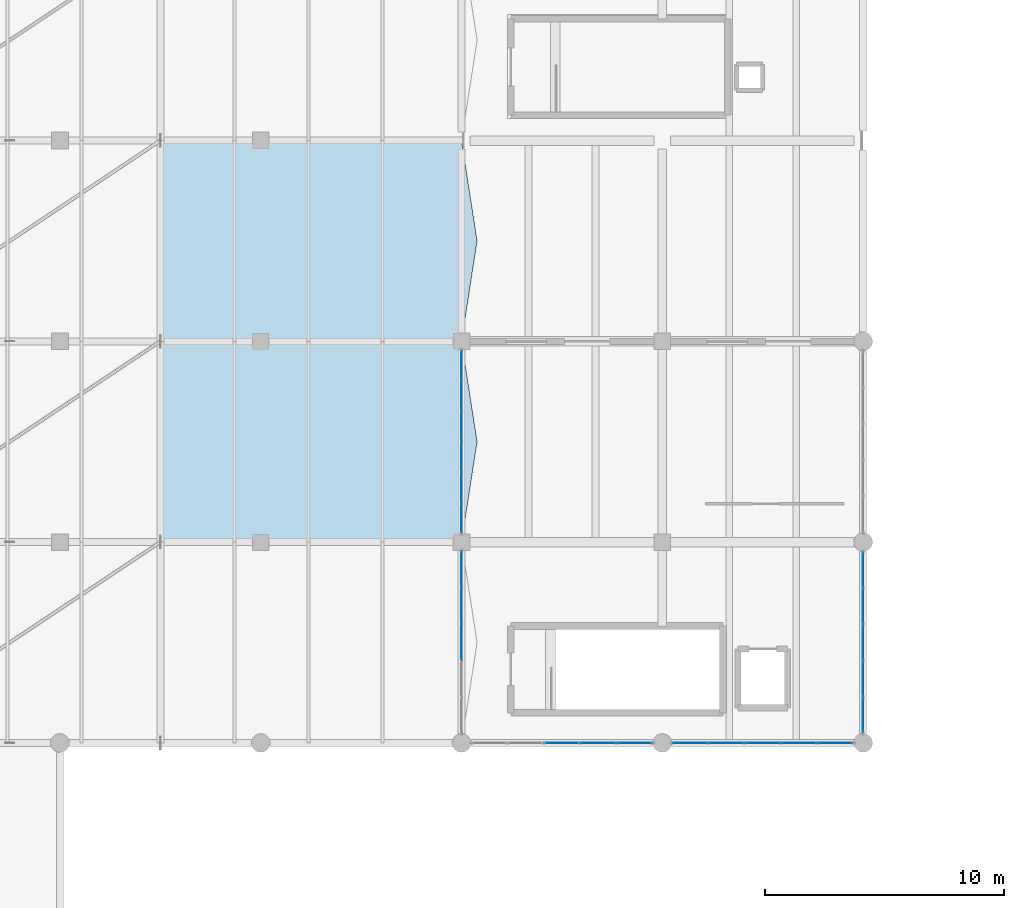
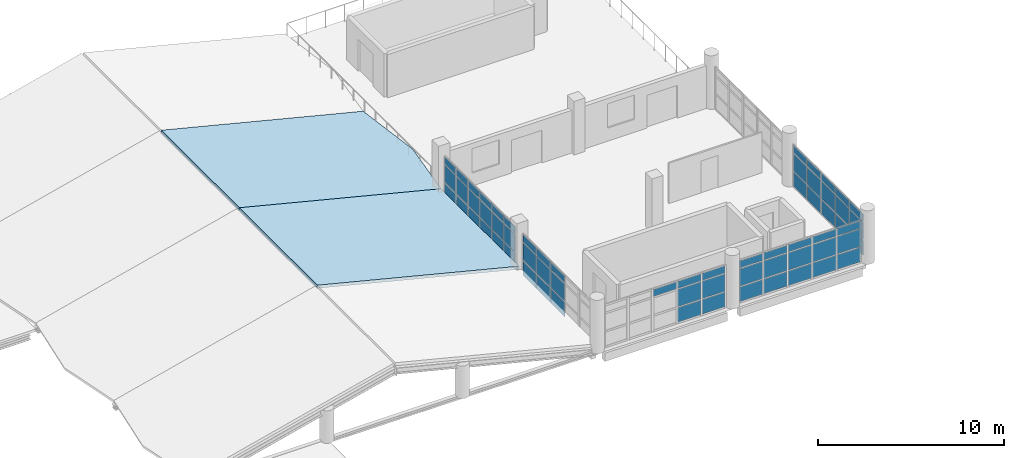
# One storey, part 71 of 95: 64 plates, 2 slabs, 5 elements without a shape of their own.
"""IFC4 building model written with IfcOpenShell, lengths in metres."""

from ifc_helpers import new_model, si_unit, direction, frame, origin, origin_2d, place, context, subcontext, project, spatial, polyline, rectangle, outline, extrude, material, layer, layer_set, type_object, element, aggregate, save


model = new_model("IFC4")

# Units and contexts
model_context = context("Model", 3, precision=1e-05, world=origin(), true_north=direction((0.0, 1.0)))
body_context = subcontext(model_context, "Body", "Model", "MODEL_VIEW")
ifc_project = project(units=[si_unit("LENGTHUNIT", "METRE"), si_unit("AREAUNIT", "SQUARE_METRE"), si_unit("VOLUMEUNIT", "CUBIC_METRE"), si_unit("PLANEANGLEUNIT", "RADIAN"), si_unit("MASSUNIT", "GRAM", prefix="KILO"), si_unit("THERMODYNAMICTEMPERATUREUNIT", "KELVIN"), si_unit("POWERUNIT", "WATT")], contexts=[model_context])

# Site, building, storey
site_placement = place(None, origin())
site = spatial("IfcSite", under=ifc_project, at=site_placement, CompositionType="ELEMENT")
building_placement = place(site_placement, origin())
building = spatial("IfcBuilding", under=site, at=building_placement, Name="Mavoryth Pier Ferry Terminal", CompositionType="ELEMENT")
storey_placement = place(building_placement, frame((0.0, 0.0, 9.60009765625)))
storey = spatial("IfcBuildingStorey", under=building, at=storey_placement, Name="L02", CompositionType="ELEMENT", Elevation=9.60009765625)

# Curtain wall, plates
ifc_material_1 = material(Name="Anodised Aluminium and Solar-Control Low-E Glass", Category="aluminium")
ifc_layer_1 = layer(ifc_material_1, 0.159912109375, Name="Anodised Aluminium and Solar-Control Low-E Glass", Category="aluminium")
ifc_layer_set_1 = layer_set([ifc_layer_1], Name="Anodised Aluminium and Solar-Control Low-E Glass - CW-Arrivals-Mod1400")
curtain_wall_type = type_object("IfcCurtainWallType", Name="CW-Arrivals-Mod1400", PredefinedType="USERDEFINED", material=ifc_layer_set_1)
curtain_wall_1_placement = place(storey_placement, origin())
curtain_wall_1 = element("IfcCurtainWall", 1, at=curtain_wall_1_placement, inside=storey, type_object=curtain_wall_type, Name="Curtain Wall CW-0222-071", ObjectType="UNITISED CURTAIN WALL", PredefinedType="USERDEFINED")
ifc_material_2 = material(Name="Solar-Control Low-E Laminated Double Glazing", Category="glass")
ifc_layer_2 = layer(ifc_material_2, 0.02392578125, Name="Solar-Control Low-E Laminated Double Glazing", Category="glass")
ifc_layer_set_2 = layer_set([ifc_layer_2], Name="Solar-Control Low-E Laminated Double Glazing - Panel-LowE-DGU-24")
plate_type = type_object("IfcPlateType", Name="Panel-LowE-DGU-24", PredefinedType="CURTAIN_PANEL", material=ifc_layer_set_2)
plate_1_placement = place(storey_placement, frame((92.39990234375, 73.56689453125, 0.059814453125), z_axis=(0.0, 0.0, 1.0), x_axis=(0.0, 1.0, 0.0)))
plate_1 = element("IfcPlate", 2, at=plate_1_placement, type_object=plate_type, Name="CW04 panel 1.1", PredefinedType="CURTAIN_PANEL", context=body_context, shape_type="SweptSolid", body=[
    extrude(rectangle(XDim=1.43408203125, YDim=0.02392578125, at=origin_2d()), origin(), (0.0, 0.0, 1.0), 0.9599609375),
])
plate_2_placement = place(storey_placement, frame((92.39990234375, 73.56689453125, 1.080078125), z_axis=(0.0, 0.0, 1.0), x_axis=(0.0, 1.0, 0.0)))
plate_2 = element("IfcPlate", 3, at=plate_2_placement, type_object=plate_type, Name="CW04 panel 1.2", PredefinedType="CURTAIN_PANEL", context=body_context, shape_type="SweptSolid", body=[
    extrude(rectangle(XDim=1.43408203125, YDim=0.02392578125, at=origin_2d()), origin(), (0.0, 0.0, 1.0), 1.139892578125),
])
plate_3_placement = place(storey_placement, frame((92.39990234375, 73.56689453125, 2.27978515625), z_axis=(0.0, 0.0, 1.0), x_axis=(0.0, 1.0, 0.0)))
plate_3 = element("IfcPlate", 4, at=plate_3_placement, type_object=plate_type, Name="CW04 panel 1.3", PredefinedType="CURTAIN_PANEL", context=body_context, shape_type="SweptSolid", body=[
    extrude(rectangle(XDim=1.43408203125, YDim=0.02392578125, at=origin_2d()), origin(), (0.0, 0.0, 1.0), 0.465087890625),
])
plate_4_placement = place(storey_placement, frame((92.39990234375, 75.075927734375, 0.059814453125), z_axis=(0.0, 0.0, 1.0), x_axis=(0.0, 1.0, 0.0)))
plate_4 = element("IfcPlate", 5, at=plate_4_placement, type_object=plate_type, Name="CW04 panel 2.1", PredefinedType="CURTAIN_PANEL", context=body_context, shape_type="SweptSolid", body=[
    extrude(rectangle(XDim=1.464111328125, YDim=0.02392578125, at=origin_2d()), origin(), (0.0, 0.0, 1.0), 0.9599609375),
])
plate_5_placement = place(storey_placement, frame((92.39990234375, 75.075927734375, 1.080078125), z_axis=(0.0, 0.0, 1.0), x_axis=(0.0, 1.0, 0.0)))
plate_5 = element("IfcPlate", 6, at=plate_5_placement, type_object=plate_type, Name="CW04 panel 2.2", PredefinedType="CURTAIN_PANEL", context=body_context, shape_type="SweptSolid", body=[
    extrude(rectangle(XDim=1.464111328125, YDim=0.02392578125, at=origin_2d()), origin(), (0.0, 0.0, 1.0), 1.139892578125),
])
plate_6_placement = place(storey_placement, frame((92.39990234375, 75.075927734375, 2.27978515625), z_axis=(0.0, 0.0, 1.0), x_axis=(0.0, 1.0, 0.0)))
plate_6 = element("IfcPlate", 7, at=plate_6_placement, type_object=plate_type, Name="CW04 panel 2.3", PredefinedType="CURTAIN_PANEL", context=body_context, shape_type="SweptSolid", body=[
    extrude(rectangle(XDim=1.464111328125, YDim=0.02392578125, at=origin_2d()), origin(), (0.0, 0.0, 1.0), 0.465087890625),
])
plate_7_placement = place(storey_placement, frame((92.39990234375, 76.60009765625, 0.059814453125), z_axis=(0.0, 0.0, 1.0), x_axis=(0.0, 1.0, 0.0)))
plate_7 = element("IfcPlate", 8, at=plate_7_placement, type_object=plate_type, Name="CW04 panel 3.1", PredefinedType="CURTAIN_PANEL", context=body_context, shape_type="SweptSolid", body=[
    extrude(rectangle(XDim=1.464111328125, YDim=0.02392578125, at=origin_2d()), origin(), (0.0, 0.0, 1.0), 0.9599609375),
])
plate_8_placement = place(storey_placement, frame((92.39990234375, 76.60009765625, 1.080078125), z_axis=(0.0, 0.0, 1.0), x_axis=(0.0, 1.0, 0.0)))
plate_8 = element("IfcPlate", 9, at=plate_8_placement, type_object=plate_type, Name="CW04 panel 3.2", PredefinedType="CURTAIN_PANEL", context=body_context, shape_type="SweptSolid", body=[
    extrude(rectangle(XDim=1.464111328125, YDim=0.02392578125, at=origin_2d()), origin(), (0.0, 0.0, 1.0), 1.139892578125),
])
plate_9_placement = place(storey_placement, frame((92.39990234375, 76.60009765625, 2.27978515625), z_axis=(0.0, 0.0, 1.0), x_axis=(0.0, 1.0, 0.0)))
plate_9 = element("IfcPlate", 10, at=plate_9_placement, type_object=plate_type, Name="CW04 panel 3.3", PredefinedType="CURTAIN_PANEL", context=body_context, shape_type="SweptSolid", body=[
    extrude(rectangle(XDim=1.464111328125, YDim=0.02392578125, at=origin_2d()), origin(), (0.0, 0.0, 1.0), 0.465087890625),
])
plate_10_placement = place(storey_placement, frame((92.39990234375, 78.1240234375, 0.059814453125), z_axis=(0.0, 0.0, 1.0), x_axis=(0.0, 1.0, 0.0)))
plate_10 = element("IfcPlate", 11, at=plate_10_placement, type_object=plate_type, Name="CW04 panel 4.1", PredefinedType="CURTAIN_PANEL", context=body_context, shape_type="SweptSolid", body=[
    extrude(rectangle(XDim=1.464111328125, YDim=0.02392578125, at=origin_2d()), origin(), (0.0, 0.0, 1.0), 0.9599609375),
])
plate_11_placement = place(storey_placement, frame((92.39990234375, 78.1240234375, 1.080078125), z_axis=(0.0, 0.0, 1.0), x_axis=(0.0, 1.0, 0.0)))
plate_11 = element("IfcPlate", 12, at=plate_11_placement, type_object=plate_type, Name="CW04 panel 4.2", PredefinedType="CURTAIN_PANEL", context=body_context, shape_type="SweptSolid", body=[
    extrude(rectangle(XDim=1.464111328125, YDim=0.02392578125, at=origin_2d()), origin(), (0.0, 0.0, 1.0), 1.139892578125),
])
plate_12_placement = place(storey_placement, frame((92.39990234375, 78.1240234375, 2.27978515625), z_axis=(0.0, 0.0, 1.0), x_axis=(0.0, 1.0, 0.0)))
plate_12 = element("IfcPlate", 13, at=plate_12_placement, type_object=plate_type, Name="CW04 panel 4.3", PredefinedType="CURTAIN_PANEL", context=body_context, shape_type="SweptSolid", body=[
    extrude(rectangle(XDim=1.464111328125, YDim=0.02392578125, at=origin_2d()), origin(), (0.0, 0.0, 1.0), 0.465087890625),
])
plate_13_placement = place(storey_placement, frame((92.39990234375, 79.633056640625, 0.059814453125), z_axis=(0.0, 0.0, 1.0), x_axis=(0.0, 1.0, 0.0)))
plate_13 = element("IfcPlate", 14, at=plate_13_placement, type_object=plate_type, Name="CW04 panel 5.1", PredefinedType="CURTAIN_PANEL", context=body_context, shape_type="SweptSolid", body=[
    extrude(rectangle(XDim=1.43408203125, YDim=0.02392578125, at=origin_2d()), origin(), (0.0, 0.0, 1.0), 0.9599609375),
])
plate_14_placement = place(storey_placement, frame((92.39990234375, 79.633056640625, 1.080078125), z_axis=(0.0, 0.0, 1.0), x_axis=(0.0, 1.0, 0.0)))
plate_14 = element("IfcPlate", 15, at=plate_14_placement, type_object=plate_type, Name="CW04 panel 5.2", PredefinedType="CURTAIN_PANEL", context=body_context, shape_type="SweptSolid", body=[
    extrude(rectangle(XDim=1.43408203125, YDim=0.02392578125, at=origin_2d()), origin(), (0.0, 0.0, 1.0), 1.139892578125),
])
plate_15_placement = place(storey_placement, frame((92.39990234375, 79.633056640625, 2.27978515625), z_axis=(0.0, 0.0, 1.0), x_axis=(0.0, 1.0, 0.0)))
plate_15 = element("IfcPlate", 16, at=plate_15_placement, type_object=plate_type, Name="CW04 panel 5.3", PredefinedType="CURTAIN_PANEL", context=body_context, shape_type="SweptSolid", body=[
    extrude(rectangle(XDim=1.43408203125, YDim=0.02392578125, at=origin_2d()), origin(), (0.0, 0.0, 1.0), 0.465087890625),
])
aggregate(curtain_wall_1, [plate_1, plate_2, plate_3, plate_4, plate_5, plate_6, plate_7, plate_8, plate_9, plate_10, plate_11, plate_12, plate_13, plate_14, plate_15])

curtain_wall_2_placement = place(storey_placement, origin())
curtain_wall_2 = element("IfcCurtainWall", 17, at=curtain_wall_2_placement, inside=storey, type_object=curtain_wall_type, Name="Curtain Wall CW-0222-072", ObjectType="UNITISED CURTAIN WALL", PredefinedType="USERDEFINED")
plate_16_placement = place(storey_placement, frame((75.60009765625, 79.6689453125, 0.059814453125), z_axis=(0.0, 0.0, 1.0), x_axis=(0.0, -1.0, 0.0)))
plate_16 = element("IfcPlate", 18, at=plate_16_placement, type_object=plate_type, Name="CW04 panel 1.1", PredefinedType="CURTAIN_PANEL", context=body_context, shape_type="SweptSolid", body=[
    extrude(rectangle(XDim=1.44189453125, YDim=0.02392578125, at=origin_2d()), origin(), (0.0, 0.0, 1.0), 0.9599609375),
])
plate_17_placement = place(storey_placement, frame((75.60009765625, 79.6689453125, 1.080078125), z_axis=(0.0, 0.0, 1.0), x_axis=(0.0, -1.0, 0.0)))
plate_17 = element("IfcPlate", 19, at=plate_17_placement, type_object=plate_type, Name="CW04 panel 1.2", PredefinedType="CURTAIN_PANEL", context=body_context, shape_type="SweptSolid", body=[
    extrude(rectangle(XDim=1.44189453125, YDim=0.02392578125, at=origin_2d()), origin(), (0.0, 0.0, 1.0), 1.139892578125),
])
plate_18_placement = place(storey_placement, frame((75.60009765625, 79.6689453125, 2.27978515625), z_axis=(0.0, 0.0, 1.0), x_axis=(0.0, -1.0, 0.0)))
plate_18 = element("IfcPlate", 20, at=plate_18_placement, type_object=plate_type, Name="CW04 panel 1.3", PredefinedType="CURTAIN_PANEL", context=body_context, shape_type="SweptSolid", body=[
    extrude(rectangle(XDim=1.44189453125, YDim=0.02392578125, at=origin_2d()), origin(), (0.0, 0.0, 1.0), 0.465087890625),
])
plate_19_placement = place(storey_placement, frame((75.60009765625, 78.152099609375, 0.059814453125), z_axis=(0.0, 0.0, 1.0), x_axis=(0.0, -1.0, 0.0)))
plate_19 = element("IfcPlate", 21, at=plate_19_placement, type_object=plate_type, Name="CW04 panel 2.1", PredefinedType="CURTAIN_PANEL", context=body_context, shape_type="SweptSolid", body=[
    extrude(rectangle(XDim=1.471923828125, YDim=0.02392578125, at=origin_2d()), origin(), (0.0, 0.0, 1.0), 0.9599609375),
])
plate_20_placement = place(storey_placement, frame((75.60009765625, 78.152099609375, 1.080078125), z_axis=(0.0, 0.0, 1.0), x_axis=(0.0, -1.0, 0.0)))
plate_20 = element("IfcPlate", 22, at=plate_20_placement, type_object=plate_type, Name="CW04 panel 2.2", PredefinedType="CURTAIN_PANEL", context=body_context, shape_type="SweptSolid", body=[
    extrude(rectangle(XDim=1.471923828125, YDim=0.02392578125, at=origin_2d()), origin(), (0.0, 0.0, 1.0), 1.139892578125),
])
plate_21_placement = place(storey_placement, frame((75.60009765625, 78.152099609375, 2.27978515625), z_axis=(0.0, 0.0, 1.0), x_axis=(0.0, -1.0, 0.0)))
plate_21 = element("IfcPlate", 23, at=plate_21_placement, type_object=plate_type, Name="CW04 panel 2.3", PredefinedType="CURTAIN_PANEL", context=body_context, shape_type="SweptSolid", body=[
    extrude(rectangle(XDim=1.471923828125, YDim=0.02392578125, at=origin_2d()), origin(), (0.0, 0.0, 1.0), 0.465087890625),
])
plate_22_placement = place(storey_placement, frame((75.60009765625, 76.6201171875, 0.059814453125), z_axis=(0.0, 0.0, 1.0), x_axis=(0.0, -1.0, 0.0)))
plate_22 = element("IfcPlate", 24, at=plate_22_placement, type_object=plate_type, Name="CW04 panel 3.1", PredefinedType="CURTAIN_PANEL", context=body_context, shape_type="SweptSolid", body=[
    extrude(rectangle(XDim=1.471923828125, YDim=0.02392578125, at=origin_2d()), origin(), (0.0, 0.0, 1.0), 0.9599609375),
])
plate_23_placement = place(storey_placement, frame((75.60009765625, 76.6201171875, 1.080078125), z_axis=(0.0, 0.0, 1.0), x_axis=(0.0, -1.0, 0.0)))
plate_23 = element("IfcPlate", 25, at=plate_23_placement, type_object=plate_type, Name="CW04 panel 3.2", PredefinedType="CURTAIN_PANEL", context=body_context, shape_type="SweptSolid", body=[
    extrude(rectangle(XDim=1.471923828125, YDim=0.02392578125, at=origin_2d()), origin(), (0.0, 0.0, 1.0), 1.139892578125),
])
plate_24_placement = place(storey_placement, frame((75.60009765625, 76.6201171875, 2.27978515625), z_axis=(0.0, 0.0, 1.0), x_axis=(0.0, -1.0, 0.0)))
plate_24 = element("IfcPlate", 26, at=plate_24_placement, type_object=plate_type, Name="CW04 panel 3.3", PredefinedType="CURTAIN_PANEL", context=body_context, shape_type="SweptSolid", body=[
    extrude(rectangle(XDim=1.471923828125, YDim=0.02392578125, at=origin_2d()), origin(), (0.0, 0.0, 1.0), 0.465087890625),
])
aggregate(curtain_wall_2, [plate_16, plate_17, plate_18, plate_19, plate_20, plate_21, plate_22, plate_23, plate_24])

curtain_wall_3_placement = place(storey_placement, origin())
curtain_wall_3 = element("IfcCurtainWall", 27, at=curtain_wall_3_placement, inside=storey, type_object=curtain_wall_type, Name="Curtain Wall CW-0222-074", ObjectType="UNITISED CURTAIN WALL", PredefinedType="USERDEFINED")
plate_25_placement = place(storey_placement, frame((75.60009765625, 88.193359375, 0.059814453125), z_axis=(0.0, 0.0, 1.0), x_axis=(0.0, -1.0, 0.0)))
plate_25 = element("IfcPlate", 28, at=plate_25_placement, type_object=plate_type, Name="CW04 panel 1.1", PredefinedType="CURTAIN_PANEL", context=body_context, shape_type="SweptSolid", body=[
    extrude(rectangle(XDim=1.193359375, YDim=0.02392578125, at=origin_2d()), origin(), (0.0, 0.0, 1.0), 0.9599609375),
])
plate_26_placement = place(storey_placement, frame((75.60009765625, 88.193359375, 1.080078125), z_axis=(0.0, 0.0, 1.0), x_axis=(0.0, -1.0, 0.0)))
plate_26 = element("IfcPlate", 29, at=plate_26_placement, type_object=plate_type, Name="CW04 panel 1.2", PredefinedType="CURTAIN_PANEL", context=body_context, shape_type="SweptSolid", body=[
    extrude(rectangle(XDim=1.193359375, YDim=0.02392578125, at=origin_2d()), origin(), (0.0, 0.0, 1.0), 1.139892578125),
])
plate_27_placement = place(storey_placement, frame((75.60009765625, 88.193359375, 2.27978515625), z_axis=(0.0, 0.0, 1.0), x_axis=(0.0, -1.0, 0.0)))
plate_27 = element("IfcPlate", 30, at=plate_27_placement, type_object=plate_type, Name="CW04 panel 1.3", PredefinedType="CURTAIN_PANEL", context=body_context, shape_type="SweptSolid", body=[
    extrude(rectangle(XDim=1.193359375, YDim=0.02392578125, at=origin_2d()), origin(), (0.0, 0.0, 1.0), 0.465087890625),
])
plate_28_placement = place(storey_placement, frame((75.60009765625, 86.925048828125, 0.059814453125), z_axis=(0.0, 0.0, 1.0), x_axis=(0.0, -1.0, 0.0)))
plate_28 = element("IfcPlate", 31, at=plate_28_placement, type_object=plate_type, Name="CW04 panel 2.1", PredefinedType="CURTAIN_PANEL", context=body_context, shape_type="SweptSolid", body=[
    extrude(rectangle(XDim=1.223388671875, YDim=0.02392578125, at=origin_2d()), origin(), (0.0, 0.0, 1.0), 0.9599609375),
])
plate_29_placement = place(storey_placement, frame((75.60009765625, 86.925048828125, 1.080078125), z_axis=(0.0, 0.0, 1.0), x_axis=(0.0, -1.0, 0.0)))
plate_29 = element("IfcPlate", 32, at=plate_29_placement, type_object=plate_type, Name="CW04 panel 2.2", PredefinedType="CURTAIN_PANEL", context=body_context, shape_type="SweptSolid", body=[
    extrude(rectangle(XDim=1.223388671875, YDim=0.02392578125, at=origin_2d()), origin(), (0.0, 0.0, 1.0), 1.139892578125),
])
plate_30_placement = place(storey_placement, frame((75.60009765625, 86.925048828125, 2.27978515625), z_axis=(0.0, 0.0, 1.0), x_axis=(0.0, -1.0, 0.0)))
plate_30 = element("IfcPlate", 33, at=plate_30_placement, type_object=plate_type, Name="CW04 panel 2.3", PredefinedType="CURTAIN_PANEL", context=body_context, shape_type="SweptSolid", body=[
    extrude(rectangle(XDim=1.223388671875, YDim=0.02392578125, at=origin_2d()), origin(), (0.0, 0.0, 1.0), 0.465087890625),
])
plate_31_placement = place(storey_placement, frame((75.60009765625, 85.6416015625, 0.059814453125), z_axis=(0.0, 0.0, 1.0), x_axis=(0.0, -1.0, 0.0)))
plate_31 = element("IfcPlate", 34, at=plate_31_placement, type_object=plate_type, Name="CW04 panel 3.1", PredefinedType="CURTAIN_PANEL", context=body_context, shape_type="SweptSolid", body=[
    extrude(rectangle(XDim=1.223388671875, YDim=0.02392578125, at=origin_2d()), origin(), (0.0, 0.0, 1.0), 0.9599609375),
])
plate_32_placement = place(storey_placement, frame((75.60009765625, 85.6416015625, 1.080078125), z_axis=(0.0, 0.0, 1.0), x_axis=(0.0, -1.0, 0.0)))
plate_32 = element("IfcPlate", 35, at=plate_32_placement, type_object=plate_type, Name="CW04 panel 3.2", PredefinedType="CURTAIN_PANEL", context=body_context, shape_type="SweptSolid", body=[
    extrude(rectangle(XDim=1.223388671875, YDim=0.02392578125, at=origin_2d()), origin(), (0.0, 0.0, 1.0), 1.139892578125),
])
plate_33_placement = place(storey_placement, frame((75.60009765625, 85.6416015625, 2.27978515625), z_axis=(0.0, 0.0, 1.0), x_axis=(0.0, -1.0, 0.0)))
plate_33 = element("IfcPlate", 36, at=plate_33_placement, type_object=plate_type, Name="CW04 panel 3.3", PredefinedType="CURTAIN_PANEL", context=body_context, shape_type="SweptSolid", body=[
    extrude(rectangle(XDim=1.223388671875, YDim=0.02392578125, at=origin_2d()), origin(), (0.0, 0.0, 1.0), 0.465087890625),
])
plate_34_placement = place(storey_placement, frame((75.60009765625, 84.3583984375, 0.059814453125), z_axis=(0.0, 0.0, 1.0), x_axis=(0.0, -1.0, 0.0)))
plate_34 = element("IfcPlate", 37, at=plate_34_placement, type_object=plate_type, Name="CW04 panel 4.1", PredefinedType="CURTAIN_PANEL", context=body_context, shape_type="SweptSolid", body=[
    extrude(rectangle(XDim=1.223388671875, YDim=0.02392578125, at=origin_2d()), origin(), (0.0, 0.0, 1.0), 0.9599609375),
])
plate_35_placement = place(storey_placement, frame((75.60009765625, 84.3583984375, 1.080078125), z_axis=(0.0, 0.0, 1.0), x_axis=(0.0, -1.0, 0.0)))
plate_35 = element("IfcPlate", 38, at=plate_35_placement, type_object=plate_type, Name="CW04 panel 4.2", PredefinedType="CURTAIN_PANEL", context=body_context, shape_type="SweptSolid", body=[
    extrude(rectangle(XDim=1.223388671875, YDim=0.02392578125, at=origin_2d()), origin(), (0.0, 0.0, 1.0), 1.139892578125),
])
plate_36_placement = place(storey_placement, frame((75.60009765625, 84.3583984375, 2.27978515625), z_axis=(0.0, 0.0, 1.0), x_axis=(0.0, -1.0, 0.0)))
plate_36 = element("IfcPlate", 39, at=plate_36_placement, type_object=plate_type, Name="CW04 panel 4.3", PredefinedType="CURTAIN_PANEL", context=body_context, shape_type="SweptSolid", body=[
    extrude(rectangle(XDim=1.223388671875, YDim=0.02392578125, at=origin_2d()), origin(), (0.0, 0.0, 1.0), 0.465087890625),
])
plate_37_placement = place(storey_placement, frame((75.60009765625, 83.074951171875, 0.059814453125), z_axis=(0.0, 0.0, 1.0), x_axis=(0.0, -1.0, 0.0)))
plate_37 = element("IfcPlate", 40, at=plate_37_placement, type_object=plate_type, Name="CW04 panel 5.1", PredefinedType="CURTAIN_PANEL", context=body_context, shape_type="SweptSolid", body=[
    extrude(rectangle(XDim=1.223388671875, YDim=0.02392578125, at=origin_2d()), origin(), (0.0, 0.0, 1.0), 0.9599609375),
])
plate_38_placement = place(storey_placement, frame((75.60009765625, 83.074951171875, 1.080078125), z_axis=(0.0, 0.0, 1.0), x_axis=(0.0, -1.0, 0.0)))
plate_38 = element("IfcPlate", 41, at=plate_38_placement, type_object=plate_type, Name="CW04 panel 5.2", PredefinedType="CURTAIN_PANEL", context=body_context, shape_type="SweptSolid", body=[
    extrude(rectangle(XDim=1.223388671875, YDim=0.02392578125, at=origin_2d()), origin(), (0.0, 0.0, 1.0), 1.139892578125),
])
plate_39_placement = place(storey_placement, frame((75.60009765625, 83.074951171875, 2.27978515625), z_axis=(0.0, 0.0, 1.0), x_axis=(0.0, -1.0, 0.0)))
plate_39 = element("IfcPlate", 42, at=plate_39_placement, type_object=plate_type, Name="CW04 panel 5.3", PredefinedType="CURTAIN_PANEL", context=body_context, shape_type="SweptSolid", body=[
    extrude(rectangle(XDim=1.223388671875, YDim=0.02392578125, at=origin_2d()), origin(), (0.0, 0.0, 1.0), 0.465087890625),
])
plate_40_placement = place(storey_placement, frame((75.60009765625, 81.806640625, 0.059814453125), z_axis=(0.0, 0.0, 1.0), x_axis=(0.0, -1.0, 0.0)))
plate_40 = element("IfcPlate", 43, at=plate_40_placement, type_object=plate_type, Name="CW04 panel 6.1", PredefinedType="CURTAIN_PANEL", context=body_context, shape_type="SweptSolid", body=[
    extrude(rectangle(XDim=1.193359375, YDim=0.02392578125, at=origin_2d()), origin(), (0.0, 0.0, 1.0), 0.9599609375),
])
plate_41_placement = place(storey_placement, frame((75.60009765625, 81.806640625, 1.080078125), z_axis=(0.0, 0.0, 1.0), x_axis=(0.0, -1.0, 0.0)))
plate_41 = element("IfcPlate", 44, at=plate_41_placement, type_object=plate_type, Name="CW04 panel 6.2", PredefinedType="CURTAIN_PANEL", context=body_context, shape_type="SweptSolid", body=[
    extrude(rectangle(XDim=1.193359375, YDim=0.02392578125, at=origin_2d()), origin(), (0.0, 0.0, 1.0), 1.139892578125),
])
plate_42_placement = place(storey_placement, frame((75.60009765625, 81.806640625, 2.27978515625), z_axis=(0.0, 0.0, 1.0), x_axis=(0.0, -1.0, 0.0)))
plate_42 = element("IfcPlate", 45, at=plate_42_placement, type_object=plate_type, Name="CW04 panel 6.3", PredefinedType="CURTAIN_PANEL", context=body_context, shape_type="SweptSolid", body=[
    extrude(rectangle(XDim=1.193359375, YDim=0.02392578125, at=origin_2d()), origin(), (0.0, 0.0, 1.0), 0.465087890625),
])
aggregate(curtain_wall_3, [plate_25, plate_26, plate_27, plate_28, plate_29, plate_30, plate_31, plate_32, plate_33, plate_34, plate_35, plate_36, plate_37, plate_38, plate_39, plate_40, plate_41, plate_42])

curtain_wall_4_placement = place(storey_placement, origin())
curtain_wall_4 = element("IfcCurtainWall", 46, at=curtain_wall_4_placement, inside=storey, type_object=curtain_wall_type, Name="Curtain Wall CW-0222-075", ObjectType="UNITISED CURTAIN WALL", PredefinedType="USERDEFINED")
plate_43_placement = place(storey_placement, frame((79.800048828125, 72.39990234375, 2.27978515625), z_axis=(0.0, 0.0, 1.0), x_axis=(1.0, 0.0, 0.0)))
plate_43 = element("IfcPlate", 47, at=plate_43_placement, type_object=plate_type, Name="CW04 panel 3.3", PredefinedType="CURTAIN_PANEL", context=body_context, shape_type="SweptSolid", body=[
    extrude(rectangle(XDim=1.464111328125, YDim=0.02392578125, at=origin_2d()), origin(), (0.0, 0.0, 1.0), 0.465087890625),
])
plate_44_placement = place(storey_placement, frame((81.323974609375, 72.39990234375, 0.059814453125), z_axis=(0.0, 0.0, 1.0), x_axis=(1.0, 0.0, 0.0)))
plate_44 = element("IfcPlate", 48, at=plate_44_placement, type_object=plate_type, Name="CW04 panel 4.1", PredefinedType="CURTAIN_PANEL", context=body_context, shape_type="SweptSolid", body=[
    extrude(rectangle(XDim=1.464111328125, YDim=0.02392578125, at=origin_2d()), origin(), (0.0, 0.0, 1.0), 0.9599609375),
])
plate_45_placement = place(storey_placement, frame((81.323974609375, 72.39990234375, 1.080078125), z_axis=(0.0, 0.0, 1.0), x_axis=(1.0, 0.0, 0.0)))
plate_45 = element("IfcPlate", 49, at=plate_45_placement, type_object=plate_type, Name="CW04 panel 4.2", PredefinedType="CURTAIN_PANEL", context=body_context, shape_type="SweptSolid", body=[
    extrude(rectangle(XDim=1.464111328125, YDim=0.02392578125, at=origin_2d()), origin(), (0.0, 0.0, 1.0), 1.139892578125),
])
plate_46_placement = place(storey_placement, frame((81.323974609375, 72.39990234375, 2.27978515625), z_axis=(0.0, 0.0, 1.0), x_axis=(1.0, 0.0, 0.0)))
plate_46 = element("IfcPlate", 50, at=plate_46_placement, type_object=plate_type, Name="CW04 panel 4.3", PredefinedType="CURTAIN_PANEL", context=body_context, shape_type="SweptSolid", body=[
    extrude(rectangle(XDim=1.464111328125, YDim=0.02392578125, at=origin_2d()), origin(), (0.0, 0.0, 1.0), 0.465087890625),
])
plate_47_placement = place(storey_placement, frame((82.8330078125, 72.39990234375, 0.059814453125), z_axis=(0.0, 0.0, 1.0), x_axis=(1.0, 0.0, 0.0)))
plate_47 = element("IfcPlate", 51, at=plate_47_placement, type_object=plate_type, Name="CW04 panel 5.1", PredefinedType="CURTAIN_PANEL", context=body_context, shape_type="SweptSolid", body=[
    extrude(rectangle(XDim=1.43408203125, YDim=0.02392578125, at=origin_2d()), origin(), (0.0, 0.0, 1.0), 0.9599609375),
])
plate_48_placement = place(storey_placement, frame((82.8330078125, 72.39990234375, 1.080078125), z_axis=(0.0, 0.0, 1.0), x_axis=(1.0, 0.0, 0.0)))
plate_48 = element("IfcPlate", 52, at=plate_48_placement, type_object=plate_type, Name="CW04 panel 5.2", PredefinedType="CURTAIN_PANEL", context=body_context, shape_type="SweptSolid", body=[
    extrude(rectangle(XDim=1.43408203125, YDim=0.02392578125, at=origin_2d()), origin(), (0.0, 0.0, 1.0), 1.139892578125),
])
plate_49_placement = place(storey_placement, frame((82.8330078125, 72.39990234375, 2.27978515625), z_axis=(0.0, 0.0, 1.0), x_axis=(1.0, 0.0, 0.0)))
plate_49 = element("IfcPlate", 53, at=plate_49_placement, type_object=plate_type, Name="CW04 panel 5.3", PredefinedType="CURTAIN_PANEL", context=body_context, shape_type="SweptSolid", body=[
    extrude(rectangle(XDim=1.43408203125, YDim=0.02392578125, at=origin_2d()), origin(), (0.0, 0.0, 1.0), 0.465087890625),
])
aggregate(curtain_wall_4, [plate_43, plate_44, plate_45, plate_46, plate_47, plate_48, plate_49])

curtain_wall_5_placement = place(storey_placement, origin())
curtain_wall_5 = element("IfcCurtainWall", 54, at=curtain_wall_5_placement, inside=storey, type_object=curtain_wall_type, Name="Curtain Wall CW-0222-076", ObjectType="UNITISED CURTAIN WALL", PredefinedType="USERDEFINED")
plate_50_placement = place(storey_placement, frame((85.1669921875, 72.39990234375, 0.059814453125), z_axis=(0.0, 0.0, 1.0), x_axis=(1.0, 0.0, 0.0)))
plate_50 = element("IfcPlate", 55, at=plate_50_placement, type_object=plate_type, Name="CW04 panel 1.1", PredefinedType="CURTAIN_PANEL", context=body_context, shape_type="SweptSolid", body=[
    extrude(rectangle(XDim=1.43408203125, YDim=0.02392578125, at=origin_2d()), origin(), (0.0, 0.0, 1.0), 0.9599609375),
])
plate_51_placement = place(storey_placement, frame((85.1669921875, 72.39990234375, 1.080078125), z_axis=(0.0, 0.0, 1.0), x_axis=(1.0, 0.0, 0.0)))
plate_51 = element("IfcPlate", 56, at=plate_51_placement, type_object=plate_type, Name="CW04 panel 1.2", PredefinedType="CURTAIN_PANEL", context=body_context, shape_type="SweptSolid", body=[
    extrude(rectangle(XDim=1.43408203125, YDim=0.02392578125, at=origin_2d()), origin(), (0.0, 0.0, 1.0), 1.139892578125),
])
plate_52_placement = place(storey_placement, frame((85.1669921875, 72.39990234375, 2.27978515625), z_axis=(0.0, 0.0, 1.0), x_axis=(1.0, 0.0, 0.0)))
plate_52 = element("IfcPlate", 57, at=plate_52_placement, type_object=plate_type, Name="CW04 panel 1.3", PredefinedType="CURTAIN_PANEL", context=body_context, shape_type="SweptSolid", body=[
    extrude(rectangle(XDim=1.43408203125, YDim=0.02392578125, at=origin_2d()), origin(), (0.0, 0.0, 1.0), 0.465087890625),
])
plate_53_placement = place(storey_placement, frame((86.676025390625, 72.39990234375, 0.059814453125), z_axis=(0.0, 0.0, 1.0), x_axis=(1.0, 0.0, 0.0)))
plate_53 = element("IfcPlate", 58, at=plate_53_placement, type_object=plate_type, Name="CW04 panel 2.1", PredefinedType="CURTAIN_PANEL", context=body_context, shape_type="SweptSolid", body=[
    extrude(rectangle(XDim=1.464111328125, YDim=0.02392578125, at=origin_2d()), origin(), (0.0, 0.0, 1.0), 0.9599609375),
])
plate_54_placement = place(storey_placement, frame((86.676025390625, 72.39990234375, 1.080078125), z_axis=(0.0, 0.0, 1.0), x_axis=(1.0, 0.0, 0.0)))
plate_54 = element("IfcPlate", 59, at=plate_54_placement, type_object=plate_type, Name="CW04 panel 2.2", PredefinedType="CURTAIN_PANEL", context=body_context, shape_type="SweptSolid", body=[
    extrude(rectangle(XDim=1.464111328125, YDim=0.02392578125, at=origin_2d()), origin(), (0.0, 0.0, 1.0), 1.139892578125),
])
plate_55_placement = place(storey_placement, frame((86.676025390625, 72.39990234375, 2.27978515625), z_axis=(0.0, 0.0, 1.0), x_axis=(1.0, 0.0, 0.0)))
plate_55 = element("IfcPlate", 60, at=plate_55_placement, type_object=plate_type, Name="CW04 panel 2.3", PredefinedType="CURTAIN_PANEL", context=body_context, shape_type="SweptSolid", body=[
    extrude(rectangle(XDim=1.464111328125, YDim=0.02392578125, at=origin_2d()), origin(), (0.0, 0.0, 1.0), 0.465087890625),
])
plate_56_placement = place(storey_placement, frame((88.199951171875, 72.39990234375, 0.059814453125), z_axis=(0.0, 0.0, 1.0), x_axis=(1.0, 0.0, 0.0)))
plate_56 = element("IfcPlate", 61, at=plate_56_placement, type_object=plate_type, Name="CW04 panel 3.1", PredefinedType="CURTAIN_PANEL", context=body_context, shape_type="SweptSolid", body=[
    extrude(rectangle(XDim=1.464111328125, YDim=0.02392578125, at=origin_2d()), origin(), (0.0, 0.0, 1.0), 0.9599609375),
])
plate_57_placement = place(storey_placement, frame((88.199951171875, 72.39990234375, 1.080078125), z_axis=(0.0, 0.0, 1.0), x_axis=(1.0, 0.0, 0.0)))
plate_57 = element("IfcPlate", 62, at=plate_57_placement, type_object=plate_type, Name="CW04 panel 3.2", PredefinedType="CURTAIN_PANEL", context=body_context, shape_type="SweptSolid", body=[
    extrude(rectangle(XDim=1.464111328125, YDim=0.02392578125, at=origin_2d()), origin(), (0.0, 0.0, 1.0), 1.139892578125),
])
plate_58_placement = place(storey_placement, frame((88.199951171875, 72.39990234375, 2.27978515625), z_axis=(0.0, 0.0, 1.0), x_axis=(1.0, 0.0, 0.0)))
plate_58 = element("IfcPlate", 63, at=plate_58_placement, type_object=plate_type, Name="CW04 panel 3.3", PredefinedType="CURTAIN_PANEL", context=body_context, shape_type="SweptSolid", body=[
    extrude(rectangle(XDim=1.464111328125, YDim=0.02392578125, at=origin_2d()), origin(), (0.0, 0.0, 1.0), 0.465087890625),
])
plate_59_placement = place(storey_placement, frame((89.72412109375, 72.39990234375, 0.059814453125), z_axis=(0.0, 0.0, 1.0), x_axis=(1.0, 0.0, 0.0)))
plate_59 = element("IfcPlate", 64, at=plate_59_placement, type_object=plate_type, Name="CW04 panel 4.1", PredefinedType="CURTAIN_PANEL", context=body_context, shape_type="SweptSolid", body=[
    extrude(rectangle(XDim=1.464111328125, YDim=0.02392578125, at=origin_2d()), origin(), (0.0, 0.0, 1.0), 0.9599609375),
])
plate_60_placement = place(storey_placement, frame((89.72412109375, 72.39990234375, 1.080078125), z_axis=(0.0, 0.0, 1.0), x_axis=(1.0, 0.0, 0.0)))
plate_60 = element("IfcPlate", 65, at=plate_60_placement, type_object=plate_type, Name="CW04 panel 4.2", PredefinedType="CURTAIN_PANEL", context=body_context, shape_type="SweptSolid", body=[
    extrude(rectangle(XDim=1.464111328125, YDim=0.02392578125, at=origin_2d()), origin(), (0.0, 0.0, 1.0), 1.139892578125),
])
plate_61_placement = place(storey_placement, frame((89.72412109375, 72.39990234375, 2.27978515625), z_axis=(0.0, 0.0, 1.0), x_axis=(1.0, 0.0, 0.0)))
plate_61 = element("IfcPlate", 66, at=plate_61_placement, type_object=plate_type, Name="CW04 panel 4.3", PredefinedType="CURTAIN_PANEL", context=body_context, shape_type="SweptSolid", body=[
    extrude(rectangle(XDim=1.464111328125, YDim=0.02392578125, at=origin_2d()), origin(), (0.0, 0.0, 1.0), 0.465087890625),
])
plate_62_placement = place(storey_placement, frame((91.23291015625, 72.39990234375, 0.059814453125), z_axis=(0.0, 0.0, 1.0), x_axis=(1.0, 0.0, 0.0)))
plate_62 = element("IfcPlate", 67, at=plate_62_placement, type_object=plate_type, Name="CW04 panel 5.1", PredefinedType="CURTAIN_PANEL", context=body_context, shape_type="SweptSolid", body=[
    extrude(rectangle(XDim=1.43408203125, YDim=0.02392578125, at=origin_2d()), origin(), (0.0, 0.0, 1.0), 0.9599609375),
])
plate_63_placement = place(storey_placement, frame((91.23291015625, 72.39990234375, 1.080078125), z_axis=(0.0, 0.0, 1.0), x_axis=(1.0, 0.0, 0.0)))
plate_63 = element("IfcPlate", 68, at=plate_63_placement, type_object=plate_type, Name="CW04 panel 5.2", PredefinedType="CURTAIN_PANEL", context=body_context, shape_type="SweptSolid", body=[
    extrude(rectangle(XDim=1.43408203125, YDim=0.02392578125, at=origin_2d()), origin(), (0.0, 0.0, 1.0), 1.139892578125),
])
plate_64_placement = place(storey_placement, frame((91.23291015625, 72.39990234375, 2.27978515625), z_axis=(0.0, 0.0, 1.0), x_axis=(1.0, 0.0, 0.0)))
plate_64 = element("IfcPlate", 69, at=plate_64_placement, type_object=plate_type, Name="CW04 panel 5.3", PredefinedType="CURTAIN_PANEL", context=body_context, shape_type="SweptSolid", body=[
    extrude(rectangle(XDim=1.43408203125, YDim=0.02392578125, at=origin_2d()), origin(), (0.0, 0.0, 1.0), 0.465087890625),
])
aggregate(curtain_wall_5, [plate_50, plate_51, plate_52, plate_53, plate_54, plate_55, plate_56, plate_57, plate_58, plate_59, plate_60, plate_61, plate_62, plate_63, plate_64])

# Slabs
ifc_material_3 = material(Name="Concrete C35/45", Category="concrete")
ifc_layer_3 = layer(ifc_material_3, 0.199951171875, Name="Concrete C35/45", Category="concrete")
ifc_layer_set_3 = layer_set([ifc_layer_3], Name="Concrete C35/45 - Slab-Roof-PitchedV2-200")
slab_type = type_object("IfcSlabType", Name="Slab-Roof-PitchedV2-200", PredefinedType="ROOF", material=ifc_layer_set_3)
slab_1_placement = place(storey_placement, frame((63.05810546875, 80.800048828125, 3.54150390625), z_axis=(0.242981664779, 0.0, 0.970030881251), x_axis=(0.970030881251, 0.0, -0.242981664779)))
element("IfcSlab", 70, at=slab_1_placement, inside=storey, type_object=slab_type, Name="Arrivals Roof East Bay 2", PredefinedType="ROOF", context=body_context, shape_type="SweptSolid", body=[
    extrude(outline(polyline([(0.0, 0.0), (12.929471312016439, 0.0), (13.599464226151845, 4.199951171875001), (12.929471312016439, 8.399902343750002), (0.0, 8.399902343750002), (0.0, 0.0)])), origin(), (0.0, 0.0, -1.0), 0.199951171875),
])
slab_2_placement = place(storey_placement, frame((63.05810546875, 89.199951171875, 3.54150390625), z_axis=(0.242981664779, 0.0, 0.970030881251), x_axis=(0.970030881251, 0.0, -0.242981664779)))
element("IfcSlab", 71, at=slab_2_placement, inside=storey, type_object=slab_type, Name="Arrivals Roof East Bay 3", PredefinedType="ROOF", context=body_context, shape_type="SweptSolid", body=[
    extrude(outline(polyline([(0.0, 0.0), (12.929471312016439, 0.0), (13.599464226151845, 4.199951171875001), (12.929471312016439, 8.400146484375002), (0.0, 8.400146484375002), (0.0, 0.0)])), origin(), (0.0, 0.0, -1.0), 0.199951171875),
])

save(model, "model.ifc")
